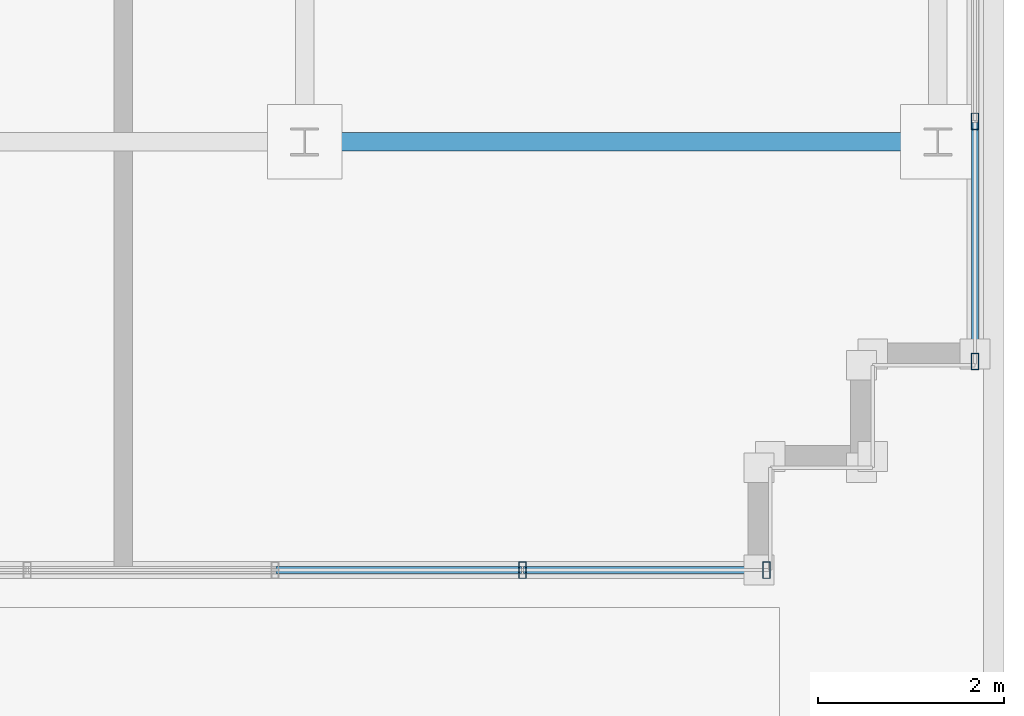
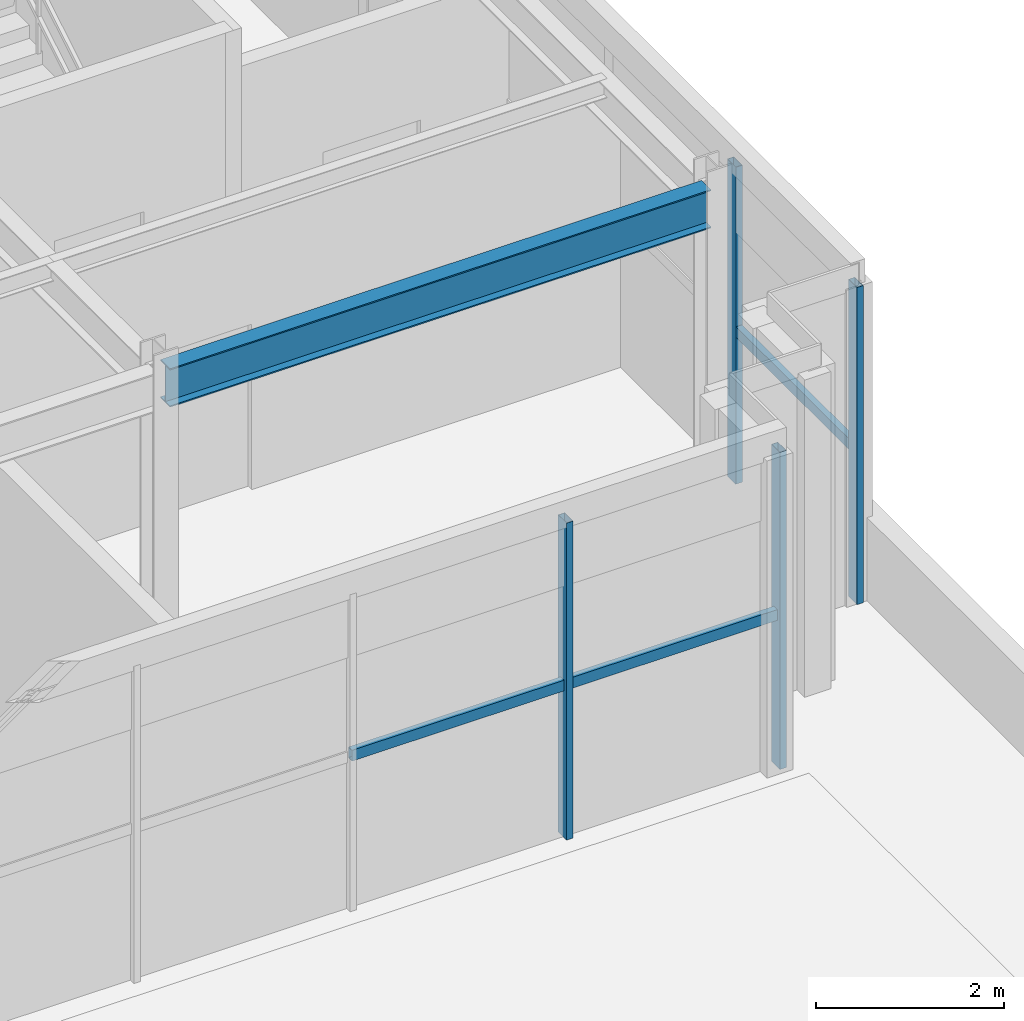
# One storey, part 13 of 38: 7 members, 1 beam, 2 elements without a shape of their own.
"""IFC4 building model written with IfcOpenShell, lengths in metres."""

from ifc_helpers import new_model, si_unit, direction, frame, origin, origin_2d, place, context, subcontext, project, spatial, hollow_rectangle, i_section, extrude, source, transform, mapped, material, material_profile, profile_set, type_object, element, aggregate, save


model = new_model("IFC4")

# Units and contexts
model_context = context("Model", 3, precision=1e-05, world=origin(), true_north=direction((0.0, 1.0)))
body_context = subcontext(model_context, "Body", "Model", "MODEL_VIEW")
ifc_project = project(units=[si_unit("LENGTHUNIT", "METRE"), si_unit("AREAUNIT", "SQUARE_METRE"), si_unit("VOLUMEUNIT", "CUBIC_METRE"), si_unit("PLANEANGLEUNIT", "RADIAN"), si_unit("MASSUNIT", "GRAM", prefix="KILO")], contexts=[model_context])

# Site, building, storey
site_placement = place(None, origin())
site = spatial("IfcSite", under=ifc_project, at=site_placement, CompositionType="ELEMENT")
building_placement = place(site_placement, origin())
building = spatial("IfcBuilding", under=site, at=building_placement, Name="Trelvane Seafront Commons", CompositionType="ELEMENT")
storey_placement = place(building_placement, frame((0.0, 0.0, 299.10009765625)))
storey = spatial("IfcBuildingStorey", under=building, at=storey_placement, Name="L78", CompositionType="ELEMENT", Elevation=299.10009765625)

# Beam
ifc_material_1 = material(Name="Steel SM355 (S355)", Category="steel")
ifc_material_profile_1 = material_profile(ifc_material_1, i_section(OverallWidth=0.199951171875, OverallDepth=0.5, WebThickness=0.010009765625, FlangeThickness=0.01611328125, at=origin_2d()), Name="H-500x200x10x16")
ifc_profile_set_1 = profile_set([ifc_material_profile_1], Name="Steel SM355 (S355)")
beam_type = type_object("IfcBeamType", Name="STR-CROWN-FRAME-RING", PredefinedType="SPANDREL", material=ifc_profile_set_1)
shared_shape_1 = source(origin(), body_context, "Body", "SweptSolid", [
    extrude(i_section(OverallWidth=0.199951171875, OverallDepth=0.5, WebThickness=0.010009765625, FlangeThickness=0.01611328125, at=origin_2d()), origin(), (0.0, 0.0, 1.0), 6.64990234375),
])
beam_placement = place(storey_placement, frame((58.875, 18.199951171875, 3.869873046875), z_axis=(1.0, 0.0, 0.0), x_axis=(0.0, 1.0, 0.0)))
element("IfcBeam", 1, at=beam_placement, inside=storey, type_object=beam_type, Name="L78 CROWN FRAME Ring Beam G-07", PredefinedType="SPANDREL", context=body_context, shape_type="MappedRepresentation", body=[
    mapped(shared_shape_1, transform((0.0, 0.0, 0.0), x_axis=(1.0, 0.0, 0.0), y_axis=(0.0, 1.0, 0.0), z_axis=(0.0, 0.0, 1.0), scale=1.0)),
])

# Curtain wall, members
ifc_material_2 = material(Name="Anodised pale-silver aluminium", Category="aluminium")
curtain_wall_type = type_object("IfcCurtainWallType", Name="ARCH-CW6-CROWN", PredefinedType="NOTDEFINED", material=ifc_material_2)
curtain_wall_1_placement = place(storey_placement, origin())
curtain_wall_1 = element("IfcCurtainWall", 2, at=curtain_wall_1_placement, inside=storey, type_object=curtain_wall_type, Name="CW-L78-0126", PredefinedType="NOTDEFINED")
ifc_material_profile_2 = material_profile(ifc_material_2, hollow_rectangle(XDim=0.080078125, YDim=0.179931640625, WallThickness=0.00439453125, at=origin_2d()), Name="MULL-80x180x4.5")
ifc_profile_set_2 = profile_set([ifc_material_profile_2], Name="Anodised pale-silver aluminium")
member_type_1 = type_object("IfcMemberType", Name="ARCH-CW-MULL-180", PredefinedType="MULLION", material=ifc_profile_set_2)
shared_shape_2 = source(origin(), body_context, "Body", "SweptSolid", [
    extrude(hollow_rectangle(XDim=0.080078125, YDim=0.179931640625, WallThickness=0.00439453125, at=origin_2d()), origin(), (0.0, 0.0, 1.0), 4.119873046875),
])
member_1_placement = place(storey_placement, frame((66.0, 18.418212890625, 0.0), z_axis=(0.0, 0.0, 1.0), x_axis=(1.0, 0.0, 0.0)))
member_1 = element("IfcMember", 3, at=member_1_placement, type_object=member_type_1, Name="CW-L78-0126-M10", PredefinedType="MULLION", context=body_context, shape_type="MappedRepresentation", body=[
    mapped(shared_shape_2, transform((0.0, 0.0, 0.0), x_axis=(1.0, 0.0, 0.0), y_axis=(0.0, 1.0, 0.0), z_axis=(0.0, 0.0, 1.0), scale=1.0)),
])
member_2_placement = place(storey_placement, frame((66.0, 15.840087890625, 0.0), z_axis=(0.0, 0.0, 1.0), x_axis=(1.0, 0.0, 0.0)))
member_2 = element("IfcMember", 4, at=member_2_placement, type_object=member_type_1, Name="CW-L78-0126-M11", PredefinedType="MULLION", context=body_context, shape_type="MappedRepresentation", body=[
    mapped(shared_shape_2, transform((0.0, 0.0, 0.0), x_axis=(1.0, 0.0, 0.0), y_axis=(0.0, 1.0, 0.0), z_axis=(0.0, 0.0, 1.0), scale=1.0)),
])

curtain_wall_2_placement = place(storey_placement, origin())
curtain_wall_2 = element("IfcCurtainWall", 5, at=curtain_wall_2_placement, inside=storey, type_object=curtain_wall_type, Name="CW-L78-0127", PredefinedType="NOTDEFINED")
member_3_placement = place(storey_placement, frame((63.760009765625, 13.60009765625, 0.0), z_axis=(0.0, 0.0, 1.0), x_axis=(1.0, 0.0, 0.0)))
member_3 = element("IfcMember", 6, at=member_3_placement, type_object=member_type_1, Name="CW-L78-0127-M00", PredefinedType="MULLION", context=body_context, shape_type="MappedRepresentation", body=[
    mapped(shared_shape_2, transform((0.0, 0.0, 0.0), x_axis=(1.0, 0.0, 0.0), y_axis=(0.0, 1.0, 0.0), z_axis=(0.0, 0.0, 1.0), scale=1.0)),
])
member_4_placement = place(storey_placement, frame((61.139892578125, 13.60009765625, 0.0), z_axis=(0.0, 0.0, 1.0), x_axis=(1.0, 0.0, 0.0)))
member_4 = element("IfcMember", 7, at=member_4_placement, type_object=member_type_1, Name="CW-L78-0127-M01", PredefinedType="MULLION", context=body_context, shape_type="MappedRepresentation", body=[
    mapped(shared_shape_2, transform((0.0, 0.0, 0.0), x_axis=(1.0, 0.0, 0.0), y_axis=(0.0, 1.0, 0.0), z_axis=(0.0, 0.0, 1.0), scale=1.0)),
])

# Member
ifc_material_profile_3 = material_profile(ifc_material_2, hollow_rectangle(XDim=0.074951171875, YDim=0.139892578125, WallThickness=0.00390625, at=origin_2d()), Name="TRAN-75x140x4")
ifc_profile_set_3 = profile_set([ifc_material_profile_3], Name="Anodised pale-silver aluminium")
member_type_2 = type_object("IfcMemberType", Name="ARCH-CW-TRAN-140", PredefinedType="USERDEFINED", material=ifc_profile_set_3)
shared_shape_3 = source(origin(), body_context, "Body", "SweptSolid", [
    extrude(hollow_rectangle(XDim=0.074951171875, YDim=0.139892578125, WallThickness=0.00390625, at=origin_2d()), origin(), (0.0, 0.0, 1.0), 2.59423828125),
])
member_5_placement = place(storey_placement, frame((66.0, 18.40625, 1.977783203125), z_axis=(0.0, -1.0, 0.0), x_axis=(1.0, 0.0, 0.0)))
member_5 = element("IfcMember", 8, at=member_5_placement, type_object=member_type_2, Name="CW-L78-0126-T10", ObjectType="TRANSOM", PredefinedType="USERDEFINED", context=body_context, shape_type="MappedRepresentation", body=[
    mapped(shared_shape_3, transform((0.0, 0.0, 0.0), x_axis=(1.0, 0.0, 0.0), y_axis=(0.0, 1.0, 0.0), z_axis=(0.0, 0.0, 1.0), scale=1.0)),
])

aggregate(curtain_wall_1, [member_1, member_2, member_5])

shared_shape_4 = source(origin(), body_context, "Body", "SweptSolid", [
    extrude(hollow_rectangle(XDim=0.074951171875, YDim=0.139892578125, WallThickness=0.00390625, at=origin_2d()), origin(), (0.0, 0.0, 1.0), 2.635986328125),
])
member_6_placement = place(storey_placement, frame((63.7880859375, 13.60009765625, 1.977783203125), z_axis=(-1.0, 0.0, 0.0), x_axis=(0.0, -1.0, 0.0)))
member_6 = element("IfcMember", 9, at=member_6_placement, type_object=member_type_2, Name="CW-L78-0127-T00", ObjectType="TRANSOM", PredefinedType="USERDEFINED", context=body_context, shape_type="MappedRepresentation", body=[
    mapped(shared_shape_4, transform((0.0, 0.0, 0.0), x_axis=(1.0, 0.0, 0.0), y_axis=(0.0, 1.0, 0.0), z_axis=(0.0, 0.0, 1.0), scale=1.0)),
])

member_7_placement = place(storey_placement, frame((61.1279296875, 13.60009765625, 1.977783203125), z_axis=(-1.0, 0.0, 0.0), x_axis=(0.0, -1.0, 0.0)))
member_7 = element("IfcMember", 10, at=member_7_placement, type_object=member_type_2, Name="CW-L78-0127-T01", ObjectType="TRANSOM", PredefinedType="USERDEFINED", context=body_context, shape_type="MappedRepresentation", body=[
    mapped(shared_shape_4, transform((0.0, 0.0, 0.0), x_axis=(1.0, 0.0, 0.0), y_axis=(0.0, 1.0, 0.0), z_axis=(0.0, 0.0, 1.0), scale=1.0)),
])

aggregate(curtain_wall_2, [member_3, member_4, member_6, member_7])

save(model, "model.ifc")
